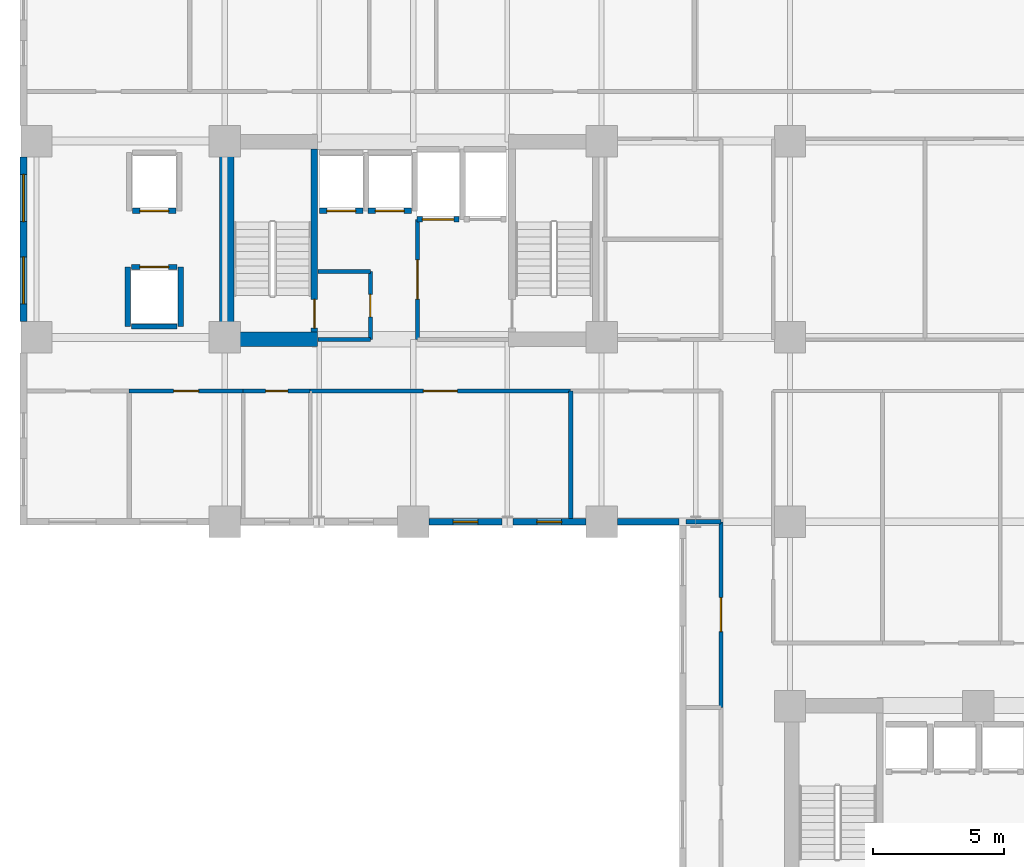
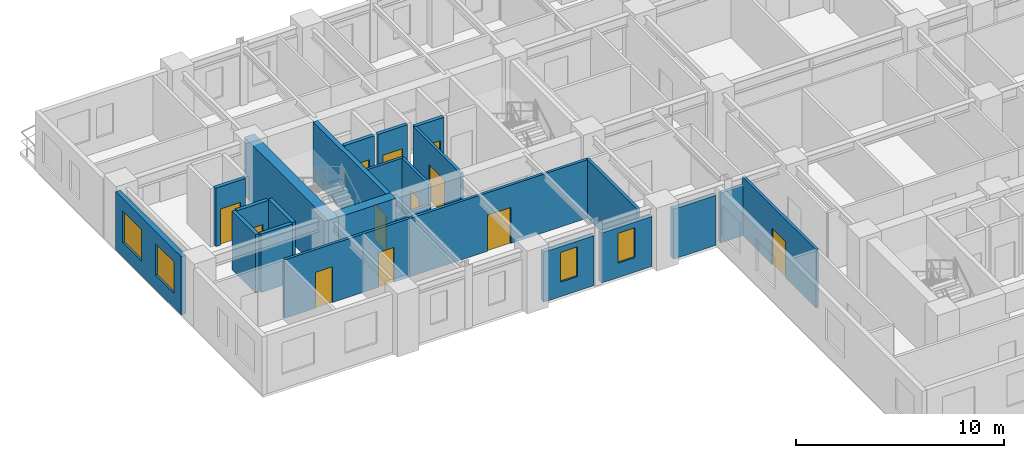
# One storey, part 3 of 11: 25 walls, 12 doors, 4 windows, 16 openings.
"""IFC4 building model written with IfcOpenShell, lengths in metres."""

from ifc_helpers import new_model, si_unit, direction, frame, frame_2d, origin, place, context, subcontext, project, spatial, rectangle, extrude, material, layer, layer_set, type_object, element, fill, save


model = new_model("IFC4")

# Units and contexts
model_context = context("Model", 3, precision=1e-05, world=origin(), true_north=direction((0.0, 1.0)))
body_context = subcontext(model_context, "Body", "Model", "MODEL_VIEW")
ifc_project = project(units=[si_unit("LENGTHUNIT", "METRE"), si_unit("AREAUNIT", "SQUARE_METRE"), si_unit("VOLUMEUNIT", "CUBIC_METRE"), si_unit("PLANEANGLEUNIT", "RADIAN"), si_unit("MASSUNIT", "GRAM", prefix="KILO")], contexts=[model_context])

# Site, building, storey
site_placement = place(None, origin())
site = spatial("IfcSite", under=ifc_project, at=site_placement, CompositionType="ELEMENT")
building_placement = place(site_placement, origin())
building = spatial("IfcBuilding", under=site, at=building_placement, Name="Kaliganga Portal Commons", CompositionType="ELEMENT")
storey_placement = place(building_placement, frame((0.0, 0.0, 86.0)))
storey = spatial("IfcBuildingStorey", under=building, at=storey_placement, Name="L21", CompositionType="ELEMENT", Elevation=86.0)

# Walls
ifc_material_1 = material(Name="Concrete C60/75", Category="concrete")
ifc_layer_1 = layer(ifc_material_1, 0.550048828125)
ifc_layer_set_1 = layer_set([ifc_layer_1], Name="Concrete C60/75")
wall_type_1 = type_object("IfcWallType", Name="WL-CORE-550", PredefinedType="SHEAR", material=ifc_layer_set_1)
wall_1_placement = place(storey_placement, frame((14.47509765625, 28.300048828125, 0.0), z_axis=(0.0, 0.0, 1.0), x_axis=(0.0, 1.0, 0.0)))
element("IfcWall", 1, at=wall_1_placement, inside=storey, type_object=wall_type_1, Name="Core A West Shear Wall L21", PredefinedType="SHEAR", context=body_context, shape_type="SweptSolid", body=[
    extrude(rectangle(XDim=8.099853515625, YDim=0.550048828125, at=frame_2d((4.0498046875, 0.0))), origin(), (0.0, 0.0, 1.0), 3.449951171875),
])
wall_2_placement = place(storey_placement, frame((14.75, 28.574951171875, 0.0), z_axis=(0.0, 0.0, 1.0), x_axis=(1.0, 0.0, 0.0)))
element("IfcWall", 2, at=wall_2_placement, inside=storey, type_object=wall_type_1, Name="Core A S-West Shear Wall L21", PredefinedType="SHEAR", context=body_context, shape_type="SweptSolid", body=[
    extrude(rectangle(XDim=3.199951171875, YDim=0.550048828125, at=frame_2d((1.60009765625, 0.0))), origin(), (0.0, 0.0, 1.0), 3.449951171875),
])

# Wall, openings, windows
ifc_material_2 = material(Name="Insulated Aluminium-Clad Spandrel Assembly", Category="aluminium")
ifc_layer_2 = layer(ifc_material_2, 0.260009765625)
ifc_layer_set_2 = layer_set([ifc_layer_2], Name="Insulated Aluminium-Clad Spandrel Assembly")
wall_type_2 = type_object("IfcWallType", Name="WL-EXT-SPAND-260", PredefinedType="STANDARD", material=ifc_layer_set_2)
wall_3_placement = place(storey_placement, frame((6.699951171875, 29.2509765625, 0.0), z_axis=(0.0, 0.0, 1.0), x_axis=(0.0, 1.0, 0.0)))
wall_3 = element("IfcWall", 3, at=wall_3_placement, inside=storey, type_object=wall_type_2, Name="Exterior Envelope Wall L21 P1-E03-S2", PredefinedType="STANDARD", context=body_context, shape_type="SweptSolid", body=[
    extrude(rectangle(XDim=6.298095703125, YDim=0.260009765625, at=frame_2d((3.14892578125, 0.0))), origin(), (0.0, 0.0, 1.0), 3.429931640625),
])
opening_1_placement = place(wall_3_placement, frame((0.674560546875, 0.0, 0.85009765625)))
opening_1 = element("IfcOpeningElement", 4, at=opening_1_placement, cuts=wall_3, Name="Opening W-01", PredefinedType="OPENING", context=body_context, shape_type="SweptSolid", body=[
    extrude(rectangle(XDim=1.800048828125, YDim=1.85009765625, at=frame_2d((0.89990234375, 0.925048828125))), frame((0.0, 0.14013671875, 0.0), z_axis=(0.0, -1.0, 0.0), x_axis=(1.0, 0.0, 0.0)), (0.0, 0.0, 1.0), 0.280029296875),
])
opening_2_placement = place(wall_3_placement, frame((3.823486328125, 0.0, 0.85009765625)))
opening_2 = element("IfcOpeningElement", 5, at=opening_2_placement, cuts=wall_3, Name="Opening W-01", PredefinedType="OPENING", context=body_context, shape_type="SweptSolid", body=[
    extrude(rectangle(XDim=1.800048828125, YDim=1.85009765625, at=frame_2d((0.89990234375, 0.925048828125))), frame((0.0, 0.14013671875, 0.0), z_axis=(0.0, -1.0, 0.0), x_axis=(1.0, 0.0, 0.0)), (0.0, 0.0, 1.0), 0.280029296875),
])
ifc_material_3 = material(Name="Thermally Broken Aluminium and Low-E Double Glazing", Category="aluminium")
window_type_1 = type_object("IfcWindowType", Name="WIN-STD-1800", PartitioningType="DOUBLE_PANEL_VERTICAL", PredefinedType="WINDOW", material=ifc_material_3)
window_1_placement = place(opening_1_placement, origin())
window_1 = element("IfcWindow", 6, at=window_1_placement, inside=storey, type_object=window_type_1, Name="Facade Window L21-P1E03S2-00", OverallHeight=1.85009765625, OverallWidth=1.800048828125, PartitioningType="SINGLE_PANEL", PredefinedType="WINDOW", context=body_context, shape_type="SweptSolid", body=[
    extrude(rectangle(XDim=1.800048828125, YDim=1.85009765625, at=frame_2d((0.89990234375, 0.925048828125))), frame((0.0, 0.030029296875, 0.0), z_axis=(0.0, -1.0, 0.0), x_axis=(1.0, 0.0, 0.0)), (0.0, 0.0, 1.0), 0.06005859375),
])
fill(opening_1, window_1)
window_2_placement = place(opening_2_placement, origin())
window_2 = element("IfcWindow", 7, at=window_2_placement, inside=storey, type_object=window_type_1, Name="Facade Window L21-P1E03S2-01", OverallHeight=1.85009765625, OverallWidth=1.800048828125, PartitioningType="SINGLE_PANEL", PredefinedType="WINDOW", context=body_context, shape_type="SweptSolid", body=[
    extrude(rectangle(XDim=1.800048828125, YDim=1.85009765625, at=frame_2d((0.89990234375, 0.925048828125))), frame((0.0, 0.030029296875, 0.0), z_axis=(0.0, -1.0, 0.0), x_axis=(1.0, 0.0, 0.0)), (0.0, 0.0, 1.0), 0.06005859375),
])
fill(opening_2, window_2)

# Wall, opening, window
wall_4_placement = place(storey_placement, frame((24.994384765625, 21.60009765625, 0.0), z_axis=(0.0, 0.0, 1.0), x_axis=(-1.0, 0.0, 0.0)))
wall_4 = element("IfcWall", 8, at=wall_4_placement, inside=storey, type_object=wall_type_2, Name="Exterior Envelope Wall L21 P1-E04-S4", PredefinedType="STANDARD", context=body_context, shape_type="SweptSolid", body=[
    extrude(rectangle(XDim=2.79345703125, YDim=0.260009765625, at=frame_2d((1.396728515625, 0.0))), origin(), (0.0, 0.0, 1.0), 2.929931640625),
])
opening_3_placement = place(wall_4_placement, frame((0.921630859375, 0.0, 0.85009765625)))
opening_3 = element("IfcOpeningElement", 9, at=opening_3_placement, cuts=wall_4, Name="Opening W-04", PredefinedType="OPENING", context=body_context, shape_type="SweptSolid", body=[
    extrude(rectangle(XDim=0.949951171875, YDim=1.75, at=frame_2d((0.47509765625, 0.875))), frame((0.0, 0.14013671875, 0.0), z_axis=(0.0, -1.0, 0.0), x_axis=(1.0, 0.0, 0.0)), (0.0, 0.0, 1.0), 0.280029296875),
])
window_type_2 = type_object("IfcWindowType", Name="WIN-NARROW-950", PartitioningType="SINGLE_PANEL", PredefinedType="WINDOW", material=ifc_material_3)
window_3_placement = place(opening_3_placement, origin())
window_3 = element("IfcWindow", 10, at=window_3_placement, inside=storey, type_object=window_type_2, Name="Facade Window L21-P1E04S4-00", OverallHeight=1.75, OverallWidth=0.949951171875, PartitioningType="SINGLE_PANEL", PredefinedType="WINDOW", context=body_context, shape_type="SweptSolid", body=[
    extrude(rectangle(XDim=0.949951171875, YDim=1.75, at=frame_2d((0.47509765625, 0.875))), frame((0.0, 0.030029296875, 0.0), z_axis=(0.0, -1.0, 0.0), x_axis=(1.0, 0.0, 0.0)), (0.0, 0.0, 1.0), 0.06005859375),
])
fill(opening_3, window_3)

wall_5_placement = place(storey_placement, frame((28.198974609375, 21.60009765625, 0.0), z_axis=(0.0, 0.0, 1.0), x_axis=(-1.0, 0.0, 0.0)))
wall_5 = element("IfcWall", 11, at=wall_5_placement, inside=storey, type_object=wall_type_2, Name="Exterior Envelope Wall L21 P1-E04-S5", PredefinedType="STANDARD", context=body_context, shape_type="SweptSolid", body=[
    extrude(rectangle(XDim=2.79345703125, YDim=0.260009765625, at=frame_2d((1.396728515625, 0.0))), origin(), (0.0, 0.0, 1.0), 2.929931640625),
])
opening_4_placement = place(wall_5_placement, frame((0.921875, 0.0, 0.85009765625)))
opening_4 = element("IfcOpeningElement", 12, at=opening_4_placement, cuts=wall_5, Name="Opening W-04", PredefinedType="OPENING", context=body_context, shape_type="SweptSolid", body=[
    extrude(rectangle(XDim=0.949951171875, YDim=1.75, at=frame_2d((0.47509765625, 0.875))), frame((0.0, 0.14013671875, 0.0), z_axis=(0.0, -1.0, 0.0), x_axis=(1.0, 0.0, 0.0)), (0.0, 0.0, 1.0), 0.280029296875),
])
window_4_placement = place(opening_4_placement, origin())
window_4 = element("IfcWindow", 13, at=window_4_placement, inside=storey, type_object=window_type_2, Name="Facade Window L21-P1E04S5-00", OverallHeight=1.75, OverallWidth=0.949951171875, PartitioningType="SINGLE_PANEL", PredefinedType="WINDOW", context=body_context, shape_type="SweptSolid", body=[
    extrude(rectangle(XDim=0.949951171875, YDim=1.75, at=frame_2d((0.47509765625, 0.875))), frame((0.0, 0.030029296875, 0.0), z_axis=(0.0, -1.0, 0.0), x_axis=(1.0, 0.0, 0.0)), (0.0, 0.0, 1.0), 0.06005859375),
])
fill(opening_4, window_4)

# Wall
wall_6_placement = place(storey_placement, frame((31.764892578125, 21.60009765625, 0.0), z_axis=(0.0, 0.0, 1.0), x_axis=(-1.0, 0.0, 0.0)))
element("IfcWall", 14, at=wall_6_placement, inside=storey, type_object=wall_type_2, Name="Exterior Envelope Wall L21 P1-E04-S6", PredefinedType="STANDARD", context=body_context, shape_type="SweptSolid", body=[
    extrude(rectangle(XDim=2.364013671875, YDim=0.260009765625, at=frame_2d((1.18212890625, 0.0))), origin(), (0.0, 0.0, 1.0), 2.929931640625),
])

# Wall, opening, door
ifc_material_4 = material(Name="Fire-Rated Gypsum Board on Steel Stud", Category="steel")
ifc_layer_3 = layer(ifc_material_4, 0.14990234375)
ifc_layer_set_3 = layer_set([ifc_layer_3], Name="Fire-Rated Gypsum Board on Steel Stud")
wall_type_3 = type_object("IfcWallType", Name="WL-PART-CORR-150", PredefinedType="PARTITIONING", material=ifc_layer_set_3)
wall_7_placement = place(storey_placement, frame((17.659912109375, 26.60009765625, 0.0), z_axis=(0.0, 0.0, 1.0), x_axis=(1.0, 0.0, 0.0)))
wall_7 = element("IfcWall", 15, at=wall_7_placement, inside=storey, type_object=wall_type_3, Name="Interior Partition L21-011", PredefinedType="PARTITIONING", context=body_context, shape_type="SweptSolid", body=[
    extrude(rectangle(XDim=9.960205078125, YDim=0.14990234375, at=frame_2d((4.97998046875, 0.0))), origin(), (0.0, 0.0, 1.0), 3.429931640625),
])
opening_5_placement = place(wall_7_placement, frame((4.330078125, 0.0, 0.0)))
opening_5 = element("IfcOpeningElement", 16, at=opening_5_placement, cuts=wall_7, Name="Opening RD-03", PredefinedType="OPENING", context=body_context, shape_type="SweptSolid", body=[
    extrude(rectangle(XDim=1.300048828125, YDim=2.1201171875, at=frame_2d((0.64990234375, 1.06005859375))), frame((0.0, 0.0849609375, 0.0), z_axis=(0.0, -1.0, 0.0), x_axis=(1.0, 0.0, 0.0)), (0.0, 0.0, 1.0), 0.169921875),
])
ifc_material_5 = material(Name="Glazed Timber Seminar Vision Door", Category="wood")
door_type_1 = type_object("IfcDoorType", Name="DR-STUDY-1300", OperationType="DOUBLE_DOOR_SINGLE_SWING", PredefinedType="DOOR", material=ifc_material_5)
door_1_placement = place(opening_5_placement, origin())
door_1 = element("IfcDoor", 17, at=door_1_placement, inside=storey, type_object=door_type_1, Name="Interior Door L21-AS04", OperationType="DOUBLE_DOOR_SINGLE_SWING", OverallHeight=2.1201171875, OverallWidth=1.300048828125, PredefinedType="DOOR", context=body_context, shape_type="SweptSolid", body=[
    extrude(rectangle(XDim=1.300048828125, YDim=2.1201171875, at=frame_2d((0.64990234375, 1.06005859375))), frame((0.0, 0.02490234375, 0.0), z_axis=(0.0, -1.0, 0.0), x_axis=(1.0, 0.0, 0.0)), (0.0, 0.0, 1.0), 0.050048828125),
])
fill(opening_5, door_1)

wall_8_placement = place(storey_placement, frame((33.360107421875, 14.5, 0.0), z_axis=(0.0, 0.0, 1.0), x_axis=(0.0, 1.0, 0.0)))
wall_8 = element("IfcWall", 18, at=wall_8_placement, inside=storey, type_object=wall_type_3, Name="Interior Partition L21-019", PredefinedType="PARTITIONING", context=body_context, shape_type="SweptSolid", body=[
    extrude(rectangle(XDim=7.10009765625, YDim=0.14990234375, at=frame_2d((3.550048828125, 0.0))), origin(), (0.0, 0.0, 1.0), 3.429931640625),
])
opening_6_placement = place(wall_8_placement, frame((2.89990234375, 0.0, 0.0)))
opening_6 = element("IfcOpeningElement", 19, at=opening_6_placement, cuts=wall_8, Name="Opening RD-03", PredefinedType="OPENING", context=body_context, shape_type="SweptSolid", body=[
    extrude(rectangle(XDim=1.300048828125, YDim=2.1201171875, at=frame_2d((0.64990234375, 1.06005859375))), frame((0.0, 0.0849609375, 0.0), z_axis=(0.0, -1.0, 0.0), x_axis=(1.0, 0.0, 0.0)), (0.0, 0.0, 1.0), 0.169921875),
])
door_2_placement = place(opening_6_placement, origin())
door_2 = element("IfcDoor", 20, at=door_2_placement, inside=storey, type_object=door_type_1, Name="Interior Door L21-KW02", OperationType="DOUBLE_DOOR_SINGLE_SWING", OverallHeight=2.1201171875, OverallWidth=1.300048828125, PredefinedType="DOOR", context=body_context, shape_type="SweptSolid", body=[
    extrude(rectangle(XDim=1.300048828125, YDim=2.1201171875, at=frame_2d((0.64990234375, 1.06005859375))), frame((0.0, 0.02490234375, 0.0), z_axis=(0.0, -1.0, 0.0), x_axis=(1.0, 0.0, 0.0)), (0.0, 0.0, 1.0), 0.050048828125),
])
fill(opening_6, door_2)

wall_9_placement = place(storey_placement, frame((10.739990234375, 26.60009765625, 0.0), z_axis=(0.0, 0.0, 1.0), x_axis=(1.0, 0.0, 0.0)))
wall_9 = element("IfcWall", 21, at=wall_9_placement, inside=storey, type_object=wall_type_3, Name="Interior Partition L21-032", PredefinedType="PARTITIONING", context=body_context, shape_type="SweptSolid", body=[
    extrude(rectangle(XDim=4.360107421875, YDim=0.14990234375, at=frame_2d((2.18017578125, 0.0))), origin(), (0.0, 0.0, 1.0), 3.429931640625),
])
opening_7_placement = place(wall_9_placement, frame((1.705078125, 0.0, 0.0)))
opening_7 = element("IfcOpeningElement", 22, at=opening_7_placement, cuts=wall_9, Name="Opening UD-01", PredefinedType="OPENING", context=body_context, shape_type="SweptSolid", body=[
    extrude(rectangle(XDim=0.949951171875, YDim=2.10009765625, at=frame_2d((0.47509765625, 1.050048828125))), frame((0.0, 0.0849609375, 0.0), z_axis=(0.0, -1.0, 0.0), x_axis=(1.0, 0.0, 0.0)), (0.0, 0.0, 1.0), 0.169921875),
])
ifc_material_6 = material(Name="Solid-Core Timber Acoustic Fire Door", Category="wood")
door_type_2 = type_object("IfcDoorType", Name="DR-UNIT-950", OperationType="NOTDEFINED", PredefinedType="DOOR", material=ifc_material_6)
door_3_placement = place(opening_7_placement, origin())
door_3 = element("IfcDoor", 23, at=door_3_placement, inside=storey, type_object=door_type_2, Name="Interior Door L21-AS02", OperationType="SINGLE_SWING_LEFT", OverallHeight=2.10009765625, OverallWidth=0.949951171875, PredefinedType="DOOR", context=body_context, shape_type="SweptSolid", body=[
    extrude(rectangle(XDim=0.949951171875, YDim=2.10009765625, at=frame_2d((0.47509765625, 1.050048828125))), frame((0.0, 0.02490234375, 0.0), z_axis=(0.0, -1.0, 0.0), x_axis=(1.0, 0.0, 0.0)), (0.0, 0.0, 1.0), 0.050048828125),
])
fill(opening_7, door_3)

wall_10_placement = place(storey_placement, frame((19.9599609375, 28.56005859375, 0.0), z_axis=(0.0, 0.0, 1.0), x_axis=(0.0, 1.0, 0.0)))
wall_10 = element("IfcWall", 24, at=wall_10_placement, inside=storey, type_object=wall_type_3, Name="Interior Partition L21-038", PredefinedType="PARTITIONING", context=body_context, shape_type="SweptSolid", body=[
    extrude(rectangle(XDim=2.599853515625, YDim=0.14990234375, at=frame_2d((1.2998046875, 0.0))), origin(), (0.0, 0.0, 1.0), 3.429931640625),
])
opening_8_placement = place(wall_10_placement, frame((0.8701171875, 0.0, 0.0)))
opening_8 = element("IfcOpeningElement", 25, at=opening_8_placement, cuts=wall_10, Name="Opening WD-02", PredefinedType="OPENING", context=body_context, shape_type="SweptSolid", body=[
    extrude(rectangle(XDim=0.860107421875, YDim=2.02001953125, at=frame_2d((0.43017578125, 1.010009765625))), frame((0.0, 0.0849609375, 0.0), z_axis=(0.0, -1.0, 0.0), x_axis=(1.0, 0.0, 0.0)), (0.0, 0.0, 1.0), 0.169921875),
])
ifc_material_7 = material(Name="Fire-Rated Utility Closet Door", Category="wood")
door_type_3 = type_object("IfcDoorType", Name="DR-STORE-800", OperationType="NOTDEFINED", PredefinedType="DOOR", material=ifc_material_7)
door_4_placement = place(opening_8_placement, origin())
door_4 = element("IfcDoor", 26, at=door_4_placement, inside=storey, type_object=door_type_3, Name="Interior Door L21-CIN_A1", OperationType="SINGLE_SWING_RIGHT", OverallHeight=2.02001953125, OverallWidth=0.860107421875, PredefinedType="DOOR", context=body_context, shape_type="SweptSolid", body=[
    extrude(rectangle(XDim=0.860107421875, YDim=2.02001953125, at=frame_2d((0.43017578125, 1.010009765625))), frame((0.0, 0.02490234375, 0.0), z_axis=(0.0, -1.0, 0.0), x_axis=(1.0, 0.0, 0.0)), (0.0, 0.0, 1.0), 0.050048828125),
])
fill(opening_8, door_4)

wall_11_placement = place(storey_placement, frame((15.10009765625, 26.60009765625, 0.0), z_axis=(0.0, 0.0, 1.0), x_axis=(1.0, 0.0, 0.0)))
wall_11 = element("IfcWall", 27, at=wall_11_placement, inside=storey, type_object=wall_type_3, Name="Interior Partition L21-039", PredefinedType="PARTITIONING", context=body_context, shape_type="SweptSolid", body=[
    extrude(rectangle(XDim=2.559814453125, YDim=0.14990234375, at=frame_2d((1.27978515625, 0.0))), origin(), (0.0, 0.0, 1.0), 3.429931640625),
])
opening_9_placement = place(wall_11_placement, frame((0.85498046875, 0.0, 0.0)))
opening_9 = element("IfcOpeningElement", 28, at=opening_9_placement, cuts=wall_11, Name="Opening WD-01", PredefinedType="OPENING", context=body_context, shape_type="SweptSolid", body=[
    extrude(rectangle(XDim=0.85009765625, YDim=2.0400390625, at=frame_2d((0.425048828125, 1.02001953125))), frame((0.0, 0.0849609375, 0.0), z_axis=(0.0, -1.0, 0.0), x_axis=(1.0, 0.0, 0.0)), (0.0, 0.0, 1.0), 0.169921875),
])
ifc_material_8 = material(Name="Moisture-Resistant Laminate Timber Door", Category="wood")
door_type_4 = type_object("IfcDoorType", Name="DR-WET-850", OperationType="NOTDEFINED", PredefinedType="DOOR", material=ifc_material_8)
door_5_placement = place(opening_9_placement, origin())
door_5 = element("IfcDoor", 29, at=door_5_placement, inside=storey, type_object=door_type_4, Name="Interior Door L21-AS03", OperationType="SINGLE_SWING_LEFT", OverallHeight=2.0400390625, OverallWidth=0.85009765625, PredefinedType="DOOR", context=body_context, shape_type="SweptSolid", body=[
    extrude(rectangle(XDim=0.85009765625, YDim=2.0400390625, at=frame_2d((0.425048828125, 1.02001953125))), frame((0.0, 0.02490234375, 0.0), z_axis=(0.0, -1.0, 0.0), x_axis=(1.0, 0.0, 0.0)), (0.0, 0.0, 1.0), 0.050048828125),
])
fill(opening_9, door_5)

# Walls
wall_12_placement = place(storey_placement, frame((17.9599609375, 28.56005859375, 0.0), z_axis=(0.0, 0.0, 1.0), x_axis=(1.0, 0.0, 0.0)))
element("IfcWall", 30, at=wall_12_placement, inside=storey, type_object=wall_type_3, Name="Interior Partition L21-042", PredefinedType="PARTITIONING", context=body_context, shape_type="SweptSolid", body=[
    extrude(rectangle(XDim=2.0, YDim=0.14990234375, at=frame_2d((1.0, 0.0))), origin(), (0.0, 0.0, 1.0), 2.22998046875),
])
wall_13_placement = place(storey_placement, frame((17.9599609375, 31.159912109375, 0.0), z_axis=(0.0, 0.0, 1.0), x_axis=(1.0, 0.0, 0.0)))
element("IfcWall", 31, at=wall_13_placement, inside=storey, type_object=wall_type_3, Name="Interior Partition L21-043", PredefinedType="PARTITIONING", context=body_context, shape_type="SweptSolid", body=[
    extrude(rectangle(XDim=2.0, YDim=0.14990234375, at=frame_2d((1.0, 0.0))), origin(), (0.0, 0.0, 1.0), 3.429931640625),
])

# Wall, opening, door
wall_14_placement = place(storey_placement, frame((21.760009765625, 28.56005859375, 0.0), z_axis=(0.0, 0.0, 1.0), x_axis=(0.0, 1.0, 0.0)))
wall_14 = element("IfcWall", 32, at=wall_14_placement, inside=storey, type_object=wall_type_3, Name="Interior Partition L21-072", PredefinedType="PARTITIONING", context=body_context, shape_type="SweptSolid", body=[
    extrude(rectangle(XDim=4.599853515625, YDim=0.14990234375, at=frame_2d((2.2998046875, 0.0))), origin(), (0.0, 0.0, 1.0), 3.429931640625),
])
opening_10_placement = place(wall_14_placement, frame((1.550048828125, 0.0, 0.0)))
opening_10 = element("IfcOpeningElement", 33, at=opening_10_placement, cuts=wall_14, Name="Opening FD-01", PredefinedType="OPENING", context=body_context, shape_type="SweptSolid", body=[
    extrude(rectangle(XDim=1.5, YDim=2.10009765625, at=frame_2d((0.75, 1.050048828125))), frame((0.0, 0.0849609375, 0.0), z_axis=(0.0, -1.0, 0.0), x_axis=(1.0, 0.0, 0.0)), (0.0, 0.0, 1.0), 0.169921875),
])
ifc_material_9 = material(Name="Fire-Rated Hardwood and Georgian-Wired Vision Panel", Category="wood")
door_type_5 = type_object("IfcDoorType", Name="DR-LOBBY-1500", OperationType="DOUBLE_DOOR_SINGLE_SWING", PredefinedType="DOOR", material=ifc_material_9)
door_6_placement = place(opening_10_placement, origin())
door_6 = element("IfcDoor", 34, at=door_6_placement, inside=storey, type_object=door_type_5, Name="Interior Door L21-FFLOB_A", OperationType="DOUBLE_DOOR_SINGLE_SWING", OverallHeight=2.10009765625, OverallWidth=1.5, PredefinedType="DOOR", context=body_context, shape_type="SweptSolid", body=[
    extrude(rectangle(XDim=1.5, YDim=2.10009765625, at=frame_2d((0.75, 1.050048828125))), frame((0.0, 0.02490234375, 0.0), z_axis=(0.0, -1.0, 0.0), x_axis=(1.0, 0.0, 0.0)), (0.0, 0.0, 1.0), 0.050048828125),
])
fill(opening_10, door_6)

# Walls
ifc_material_10 = material(Name="Twin-Stud Acoustic Gypsum Partition", Category="gypsum")
ifc_layer_4 = layer(ifc_material_10, 0.1650390625)
ifc_layer_set_4 = layer_set([ifc_layer_4], Name="Twin-Stud Acoustic Gypsum Partition")
wall_type_4 = type_object("IfcWallType", Name="WL-PART-UNIT-165", PredefinedType="PARTITIONING", material=ifc_layer_set_4)
wall_15_placement = place(storey_placement, frame((27.6201171875, 21.73193359375, 0.0), z_axis=(0.0, 0.0, 1.0), x_axis=(0.0, 1.0, 0.0)))
element("IfcWall", 35, at=wall_15_placement, inside=storey, type_object=wall_type_4, Name="Interior Partition L21-068", PredefinedType="PARTITIONING", context=body_context, shape_type="SweptSolid", body=[
    extrude(rectangle(XDim=4.8681640625, YDim=0.1650390625, at=frame_2d((2.43408203125, 0.0))), origin(), (0.0, 0.0, 1.0), 3.429931640625),
])
wall_16_placement = place(storey_placement, frame((32.031982421875, 21.60009765625, 0.0), z_axis=(0.0, 0.0, 1.0), x_axis=(1.0, 0.0, 0.0)))
element("IfcWall", 36, at=wall_16_placement, inside=storey, type_object=wall_type_4, Name="Interior Partition L21-083", PredefinedType="PARTITIONING", context=body_context, shape_type="SweptSolid", body=[
    extrude(rectangle(XDim=1.328125, YDim=0.1650390625, at=frame_2d((0.6640625, 0.0))), origin(), (0.0, 0.0, 1.0), 2.929931640625),
])

# Wall, opening, door
ifc_material_11 = material(Name="Fire-Rated Shaftwall Masonry Assembly", Category="masonry")
ifc_layer_5 = layer(ifc_material_11, 0.199951171875)
ifc_layer_set_5 = layer_set([ifc_layer_5], Name="Fire-Rated Shaftwall Masonry Assembly")
wall_type_5 = type_object("IfcWallType", Name="WL-SHAFT-200", PredefinedType="PARTITIONING", material=ifc_layer_set_5)
wall_17_placement = place(storey_placement, frame((18.02490234375, 33.485107421875, 0.0), z_axis=(0.0, 0.0, 1.0), x_axis=(1.0, 0.0, 0.0)))
wall_17 = element("IfcWall", 37, at=wall_17_placement, inside=storey, type_object=wall_type_5, Name="Lift PL-A1 Hoistway Shaft Wall L21-S", PredefinedType="PARTITIONING", context=body_context, shape_type="SweptSolid", body=[
    extrude(rectangle(XDim=1.650146484375, YDim=0.199951171875, at=frame_2d((0.8251953125, 0.0))), origin(), (0.0, 0.0, 1.0), 3.429931640625),
])
opening_11_placement = place(wall_17_placement, frame((0.27490234375, 0.0, 0.0)))
opening_11 = element("IfcOpeningElement", 38, at=opening_11_placement, cuts=wall_17, Name="Opening LD-01", PredefinedType="OPENING", context=body_context, shape_type="SweptSolid", body=[
    extrude(rectangle(XDim=1.10009765625, YDim=2.1201171875, at=frame_2d((0.550048828125, 1.06005859375))), frame((0.0, 0.10986328125, 0.0), z_axis=(0.0, -1.0, 0.0), x_axis=(1.0, 0.0, 0.0)), (0.0, 0.0, 1.0), 0.219970703125),
])
ifc_material_12 = material(Name="Brushed Stainless Steel 316 Lift Landing Door", Category="steel")
door_type_6 = type_object("IfcDoorType", Name="DR-LIFT-1100", OperationType="SLIDING_TO_LEFT", PredefinedType="DOOR", material=ifc_material_12)
door_7_placement = place(opening_11_placement, origin())
door_7 = element("IfcDoor", 39, at=door_7_placement, inside=storey, type_object=door_type_6, Name="Lift PL-A1 Sliding Landing Door L21", OperationType="SLIDING_TO_LEFT", OverallHeight=2.1201171875, OverallWidth=1.10009765625, PredefinedType="DOOR", context=body_context, shape_type="SweptSolid", body=[
    extrude(rectangle(XDim=1.10009765625, YDim=2.1201171875, at=frame_2d((0.550048828125, 1.06005859375))), frame((0.0, 0.02490234375, 0.0), z_axis=(0.0, -1.0, 0.0), x_axis=(1.0, 0.0, 0.0)), (0.0, 0.0, 1.0), 0.050048828125),
])
fill(opening_11, door_7)

wall_18_placement = place(storey_placement, frame((19.875, 33.485107421875, 0.0), z_axis=(0.0, 0.0, 1.0), x_axis=(1.0, 0.0, 0.0)))
wall_18 = element("IfcWall", 40, at=wall_18_placement, inside=storey, type_object=wall_type_5, Name="Lift PL-A2 Hoistway Shaft Wall L21-S", PredefinedType="PARTITIONING", context=body_context, shape_type="SweptSolid", body=[
    extrude(rectangle(XDim=1.64990234375, YDim=0.199951171875, at=frame_2d((0.824951171875, 0.0))), origin(), (0.0, 0.0, 1.0), 3.429931640625),
])
opening_12_placement = place(wall_18_placement, frame((0.27490234375, 0.0, 0.0)))
opening_12 = element("IfcOpeningElement", 41, at=opening_12_placement, cuts=wall_18, Name="Opening LD-01", PredefinedType="OPENING", context=body_context, shape_type="SweptSolid", body=[
    extrude(rectangle(XDim=1.10009765625, YDim=2.1201171875, at=frame_2d((0.550048828125, 1.06005859375))), frame((0.0, 0.10986328125, 0.0), z_axis=(0.0, -1.0, 0.0), x_axis=(1.0, 0.0, 0.0)), (0.0, 0.0, 1.0), 0.219970703125),
])
door_8_placement = place(opening_12_placement, origin())
door_8 = element("IfcDoor", 42, at=door_8_placement, inside=storey, type_object=door_type_6, Name="Lift PL-A2 Sliding Landing Door L21", OperationType="SLIDING_TO_LEFT", OverallHeight=2.1201171875, OverallWidth=1.10009765625, PredefinedType="DOOR", context=body_context, shape_type="SweptSolid", body=[
    extrude(rectangle(XDim=1.10009765625, YDim=2.1201171875, at=frame_2d((0.550048828125, 1.06005859375))), frame((0.0, 0.02490234375, 0.0), z_axis=(0.0, -1.0, 0.0), x_axis=(1.0, 0.0, 0.0)), (0.0, 0.0, 1.0), 0.050048828125),
])
fill(opening_12, door_8)

# Wall
wall_19_placement = place(storey_placement, frame((10.824951171875, 29.06005859375, 0.0), z_axis=(0.0, 0.0, 1.0), x_axis=(1.0, 0.0, 0.0)))
element("IfcWall", 43, at=wall_19_placement, inside=storey, type_object=wall_type_5, Name="Lift SH-1 Hoistway Shaft Wall L21-S", PredefinedType="PARTITIONING", context=body_context, shape_type="SweptSolid", body=[
    extrude(rectangle(XDim=1.75, YDim=0.199951171875, at=frame_2d((0.875, 0.0))), origin(), (0.0, 0.0, 1.0), 3.429931640625),
])

# Wall, opening, door
wall_20_placement = place(storey_placement, frame((10.824951171875, 31.340087890625, 0.0), z_axis=(0.0, 0.0, 1.0), x_axis=(1.0, 0.0, 0.0)))
wall_20 = element("IfcWall", 44, at=wall_20_placement, inside=storey, type_object=wall_type_5, Name="Lift SH-1 Hoistway Shaft Wall L21-N", PredefinedType="PARTITIONING", context=body_context, shape_type="SweptSolid", body=[
    extrude(rectangle(XDim=1.75, YDim=0.199951171875, at=frame_2d((0.875, 0.0))), origin(), (0.0, 0.0, 1.0), 3.429931640625),
])
opening_13_placement = place(wall_20_placement, frame((0.324951171875, 0.0, 0.0)))
opening_13 = element("IfcOpeningElement", 45, at=opening_13_placement, cuts=wall_20, Name="Opening LD-01", PredefinedType="OPENING", context=body_context, shape_type="SweptSolid", body=[
    extrude(rectangle(XDim=1.10009765625, YDim=2.1201171875, at=frame_2d((0.550048828125, 1.06005859375))), frame((0.0, 0.10986328125, 0.0), z_axis=(0.0, -1.0, 0.0), x_axis=(1.0, 0.0, 0.0)), (0.0, 0.0, 1.0), 0.219970703125),
])
door_9_placement = place(opening_13_placement, origin())
door_9 = element("IfcDoor", 46, at=door_9_placement, inside=storey, type_object=door_type_6, Name="Lift SH-1 Sliding Landing Door L21", OperationType="SLIDING_TO_LEFT", OverallHeight=2.1201171875, OverallWidth=1.10009765625, PredefinedType="DOOR", context=body_context, shape_type="SweptSolid", body=[
    extrude(rectangle(XDim=1.10009765625, YDim=2.1201171875, at=frame_2d((0.550048828125, 1.06005859375))), frame((0.0, 0.02490234375, 0.0), z_axis=(0.0, -1.0, 0.0), x_axis=(1.0, 0.0, 0.0)), (0.0, 0.0, 1.0), 0.050048828125),
])
fill(opening_13, door_9)

# Walls
for number, where, z_axis, x_axis, name in (
    (47, (10.68505859375, 29.06005859375, 0.0), (0.0, 0.0, 1.0), (0.0, 1.0, 0.0), "Lift SH-1 Hoistway Shaft Wall L21-W"),
    (48, (12.715087890625, 29.06005859375, 0.0), (0.0, 0.0, 1.0), (0.0, 1.0, 0.0), "Lift SH-1 Hoistway Shaft Wall L21-E"),
):
    element("IfcWall", number, at=place(storey_placement, frame(where, z_axis=z_axis, x_axis=x_axis)), inside=storey, type_object=wall_type_5, Name=name, PredefinedType="PARTITIONING", context=body_context, shape_type="SweptSolid", body=[
        extrude(rectangle(XDim=2.280029296875, YDim=0.199951171875, at=frame_2d((1.14013671875, 0.0))), origin(), (0.0, 0.0, 1.0), 3.429931640625),
    ])

# Wall, opening, door
wall_21_placement = place(storey_placement, frame((10.875, 33.485107421875, 0.0), z_axis=(0.0, 0.0, 1.0), x_axis=(1.0, 0.0, 0.0)))
wall_21 = element("IfcWall", 49, at=wall_21_placement, inside=storey, type_object=wall_type_5, Name="Lift PL-OBS Hoistway Shaft Wall L21-S", PredefinedType="PARTITIONING", context=body_context, shape_type="SweptSolid", body=[
    extrude(rectangle(XDim=1.64990234375, YDim=0.199951171875, at=frame_2d((0.824951171875, 0.0))), origin(), (0.0, 0.0, 1.0), 3.429931640625),
])
opening_14_placement = place(wall_21_placement, frame((0.27490234375, 0.0, 0.0)))
opening_14 = element("IfcOpeningElement", 50, at=opening_14_placement, cuts=wall_21, Name="Opening LD-01", PredefinedType="OPENING", context=body_context, shape_type="SweptSolid", body=[
    extrude(rectangle(XDim=1.10009765625, YDim=2.1201171875, at=frame_2d((0.550048828125, 1.06005859375))), frame((0.0, 0.10986328125, 0.0), z_axis=(0.0, -1.0, 0.0), x_axis=(1.0, 0.0, 0.0)), (0.0, 0.0, 1.0), 0.219970703125),
])
door_10_placement = place(opening_14_placement, origin())
door_10 = element("IfcDoor", 51, at=door_10_placement, inside=storey, type_object=door_type_6, Name="Lift PL-OBS Sliding Landing Door L21", OperationType="SLIDING_TO_LEFT", OverallHeight=2.1201171875, OverallWidth=1.10009765625, PredefinedType="DOOR", context=body_context, shape_type="SweptSolid", body=[
    extrude(rectangle(XDim=1.10009765625, YDim=2.1201171875, at=frame_2d((0.550048828125, 1.06005859375))), frame((0.0, 0.02490234375, 0.0), z_axis=(0.0, -1.0, 0.0), x_axis=(1.0, 0.0, 0.0)), (0.0, 0.0, 1.0), 0.050048828125),
])
fill(opening_14, door_10)

wall_22_placement = place(storey_placement, frame((21.75, 33.159912109375, 0.0), z_axis=(0.0, 0.0, 1.0), x_axis=(1.0, 0.0, 0.0)))
wall_22 = element("IfcWall", 52, at=wall_22_placement, inside=storey, type_object=wall_type_5, Name="Lift FFL-1 Hoistway Shaft Wall L21-S", PredefinedType="PARTITIONING", context=body_context, shape_type="SweptSolid", body=[
    extrude(rectangle(XDim=1.60009765625, YDim=0.199951171875, at=frame_2d((0.800048828125, 0.0))), origin(), (0.0, 0.0, 1.0), 3.429931640625),
])
opening_15_placement = place(wall_22_placement, frame((0.199951171875, 0.0, 0.0)))
opening_15 = element("IfcOpeningElement", 53, at=opening_15_placement, cuts=wall_22, Name="Opening LD-02", PredefinedType="OPENING", context=body_context, shape_type="SweptSolid", body=[
    extrude(rectangle(XDim=1.199951171875, YDim=2.1201171875, at=frame_2d((0.60009765625, 1.06005859375))), frame((0.0, 0.10986328125, 0.0), z_axis=(0.0, -1.0, 0.0), x_axis=(1.0, 0.0, 0.0)), (0.0, 0.0, 1.0), 0.219970703125),
])
ifc_material_13 = material(Name="Brushed Stainless Steel 316 Stretcher Lift Landing Door", Category="steel")
door_type_7 = type_object("IfcDoorType", Name="DR-LIFT-1200", OperationType="SLIDING_TO_RIGHT", PredefinedType="DOOR", material=ifc_material_13)
door_11_placement = place(opening_15_placement, origin())
door_11 = element("IfcDoor", 54, at=door_11_placement, inside=storey, type_object=door_type_7, Name="Lift FFL-1 Sliding Landing Door L21", OperationType="SLIDING_TO_RIGHT", OverallHeight=2.1201171875, OverallWidth=1.199951171875, PredefinedType="DOOR", context=body_context, shape_type="SweptSolid", body=[
    extrude(rectangle(XDim=1.199951171875, YDim=2.1201171875, at=frame_2d((0.60009765625, 1.06005859375))), frame((0.0, 0.02490234375, 0.0), z_axis=(0.0, -1.0, 0.0), x_axis=(1.0, 0.0, 0.0)), (0.0, 0.0, 1.0), 0.050048828125),
])
fill(opening_15, door_11)

ifc_material_14 = material(Name="Concrete C50/60", Category="concrete")
ifc_layer_6 = layer(ifc_material_14, 0.25)
ifc_layer_set_6 = layer_set([ifc_layer_6], Name="Concrete C50/60")
wall_type_6 = type_object("IfcWallType", Name="WL-STAIR-250", PredefinedType="SHEAR", material=ifc_layer_set_6)
wall_23_placement = place(storey_placement, frame((17.824951171875, 28.85009765625, 0.0), z_axis=(0.0, 0.0, 1.0), x_axis=(0.0, 1.0, 0.0)))
wall_23 = element("IfcWall", 55, at=wall_23_placement, inside=storey, type_object=wall_type_6, Name="Stair A1 Enclosure Shear Wall L21", PredefinedType="SHEAR", context=body_context, shape_type="SweptSolid", body=[
    extrude(rectangle(XDim=7.0, YDim=0.25, at=frame_2d((3.5, 0.0))), origin(), (0.0, 0.0, 1.0), 3.449951171875),
])
opening_16_placement = place(wall_23_placement, frame((0.14990234375, 0.0, 0.0)))
opening_16 = element("IfcOpeningElement", 56, at=opening_16_placement, cuts=wall_23, Name="Opening SD-01", PredefinedType="OPENING", context=body_context, shape_type="SweptSolid", body=[
    extrude(rectangle(XDim=1.10009765625, YDim=2.080078125, at=frame_2d((0.550048828125, 1.0400390625))), frame((0.0, 0.135009765625, 0.0), z_axis=(0.0, -1.0, 0.0), x_axis=(1.0, 0.0, 0.0)), (0.0, 0.0, 1.0), 0.27001953125),
])
ifc_material_15 = material(Name="Galvanized Steel Fire Door Leaf and Frame", Category="steel")
door_type_8 = type_object("IfcDoorType", Name="DR-STAIR-1100", OperationType="NOTDEFINED", PredefinedType="DOOR", material=ifc_material_15)
door_12_placement = place(opening_16_placement, origin())
door_12 = element("IfcDoor", 57, at=door_12_placement, inside=storey, type_object=door_type_8, Name="Protected Stair ST-A1 Fire Door L21", OperationType="SINGLE_SWING_LEFT", OverallHeight=2.080078125, OverallWidth=1.10009765625, PredefinedType="DOOR", context=body_context, shape_type="SweptSolid", body=[
    extrude(rectangle(XDim=1.10009765625, YDim=2.080078125, at=frame_2d((0.550048828125, 1.0400390625))), frame((0.0, 0.02490234375, 0.0), z_axis=(0.0, -1.0, 0.0), x_axis=(1.0, 0.0, 0.0)), (0.0, 0.0, 1.0), 0.050048828125),
])
fill(opening_16, door_12)

save(model, "model.ifc")
